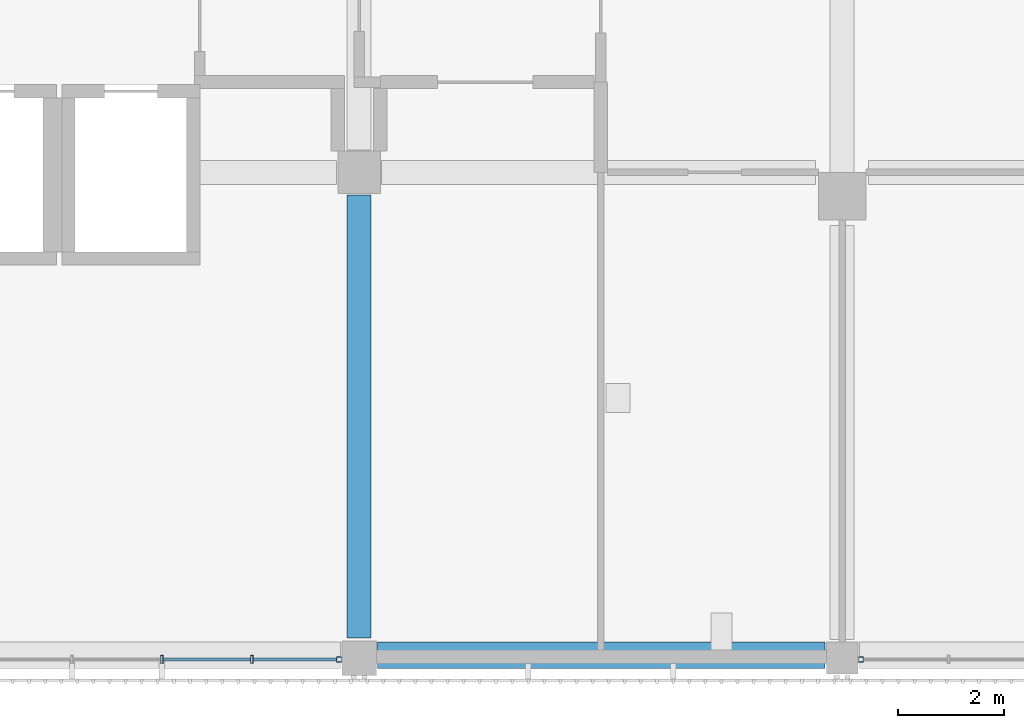
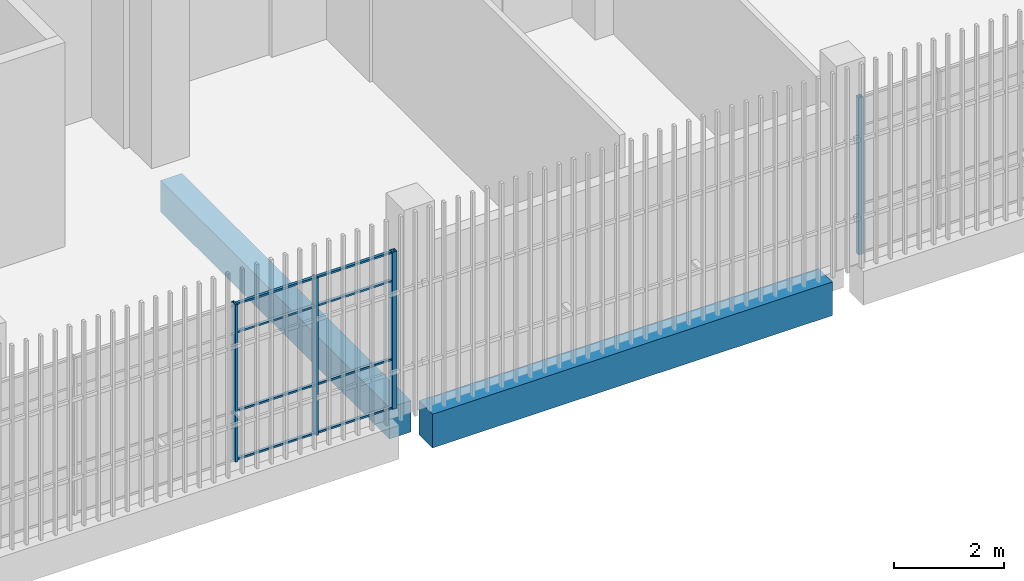
# One storey, part 7 of 104: 12 members, 2 beams, 2 elements without a shape of their own.
"""IFC4 building model written with IfcOpenShell, lengths in metres."""

from ifc_helpers import new_model, si_unit, direction, frame, origin, origin_2d, place, context, subcontext, project, spatial, rectangle, hollow_rectangle, extrude, material, layer, layer_set, material_profile, profile_set, type_object, element, aggregate, save


model = new_model("IFC4")

# Units and contexts
model_context = context("Model", 3, precision=1e-05, world=origin(), true_north=direction((0.0, 1.0)))
body_context = subcontext(model_context, "Body", "Model", "MODEL_VIEW")
ifc_project = project(units=[si_unit("LENGTHUNIT", "METRE"), si_unit("AREAUNIT", "SQUARE_METRE"), si_unit("VOLUMEUNIT", "CUBIC_METRE"), si_unit("PLANEANGLEUNIT", "RADIAN"), si_unit("MASSUNIT", "GRAM", prefix="KILO")], contexts=[model_context])

# Site, building, storey
site_placement = place(None, origin())
site = spatial("IfcSite", under=ifc_project, at=site_placement, CompositionType="ELEMENT")
building_placement = place(site_placement, origin())
building = spatial("IfcBuilding", under=site, at=building_placement, Name="Shirokan Park Arena", CompositionType="ELEMENT")
storey_placement = place(building_placement, frame((0.0, 0.0, 10.919921875)))
storey = spatial("IfcBuildingStorey", under=building, at=storey_placement, Name="L02", CompositionType="ELEMENT", Elevation=10.919921875)

# Curtain wall, member
ifc_material_1 = material(Name="Steel and glass curtain wall", Category="steel")
ifc_layer = layer(ifc_material_1, 0.14990234375)
ifc_layer_set = layer_set([ifc_layer], Name="Steel and glass curtain wall 150 mm")
curtain_wall_type = type_object("IfcCurtainWallType", Name="Curtain wall exposed bay 150", PredefinedType="NOTDEFINED", material=ifc_layer_set)
curtain_wall_1_placement = place(storey_placement, origin())
curtain_wall_1 = element("IfcCurtainWall", 1, at=curtain_wall_1_placement, inside=storey, type_object=curtain_wall_type, Name="Curtain wall south bay 4 L02", PredefinedType="NOTDEFINED")
ifc_material_2 = material(Name="Steel S355", Category="steel")
ifc_material_profile_1 = material_profile(ifc_material_2, hollow_rectangle(XDim=0.10009765625, YDim=0.10009765625, WallThickness=0.006103515625, at=origin_2d()), Name="RHS 100x100x6")
ifc_profile_set_1 = profile_set([ifc_material_profile_1], Name="Steel S355")
member_type_1 = type_object("IfcMemberType", Name="Mullion RHS 100x100x6", PredefinedType="MULLION", material=ifc_profile_set_1)
member_1_placement = place(storey_placement, frame((36.02490234375, -0.074951171875, 0.0), z_axis=(0.0, 0.0, 1.0), x_axis=(0.0, 1.0, 0.0)))
member_1 = element("IfcMember", 2, at=member_1_placement, type_object=member_type_1, Name="CW1 mullion 6", PredefinedType="MULLION", context=body_context, shape_type="SweptSolid", body=[
    extrude(hollow_rectangle(XDim=0.10009765625, YDim=0.10009765625, WallThickness=0.006103515625, at=origin_2d()), origin(), (0.0, 0.0, 1.0), 3.5),
])

curtain_wall_2_placement = place(storey_placement, origin())
curtain_wall_2 = element("IfcCurtainWall", 3, at=curtain_wall_2_placement, inside=storey, type_object=curtain_wall_type, Name="Curtain wall south bay 6 L02", PredefinedType="NOTDEFINED")
member_2_placement = place(storey_placement, frame((45.85009765625, -0.074951171875, 0.0), z_axis=(0.0, 0.0, 1.0), x_axis=(0.0, 1.0, 0.0)))
member_2 = element("IfcMember", 4, at=member_2_placement, type_object=member_type_1, Name="CW1 mullion 1", PredefinedType="MULLION", context=body_context, shape_type="SweptSolid", body=[
    extrude(hollow_rectangle(XDim=0.10009765625, YDim=0.10009765625, WallThickness=0.006103515625, at=origin_2d()), origin(), (0.0, 0.0, 1.0), 3.5),
])
aggregate(curtain_wall_2, [member_2])

# Member
ifc_material_profile_2 = material_profile(ifc_material_2, hollow_rectangle(XDim=0.14990234375, YDim=0.050048828125, WallThickness=0.006103515625, at=origin_2d()), Name="RHS 150x50x6")
ifc_profile_set_2 = profile_set([ifc_material_profile_2], Name="Steel S355")
member_type_2 = type_object("IfcMemberType", Name="Mullion RHS 150x50x6", PredefinedType="MULLION", material=ifc_profile_set_2)
member_3_placement = place(storey_placement, frame((32.68505859375, -0.074951171875, 0.0), z_axis=(0.0, 0.0, 1.0), x_axis=(0.0, 1.0, 0.0)))
member_3 = element("IfcMember", 5, at=member_3_placement, type_object=member_type_2, Name="CW1 mullion 4", PredefinedType="MULLION", context=body_context, shape_type="SweptSolid", body=[
    extrude(hollow_rectangle(XDim=0.14990234375, YDim=0.050048828125, WallThickness=0.006103515625, at=origin_2d()), origin(), (0.0, 0.0, 1.0), 3.5),
])

member_4_placement = place(storey_placement, frame((34.3798828125, -0.074951171875, 0.0), z_axis=(0.0, 0.0, 1.0), x_axis=(0.0, 1.0, 0.0)))
member_4 = element("IfcMember", 6, at=member_4_placement, type_object=member_type_2, Name="CW1 mullion 5", PredefinedType="MULLION", context=body_context, shape_type="SweptSolid", body=[
    extrude(hollow_rectangle(XDim=0.14990234375, YDim=0.050048828125, WallThickness=0.006103515625, at=origin_2d()), origin(), (0.0, 0.0, 1.0), 3.5),
])

# Beams
ifc_material_3 = material(Name="Concrete C35", Category="concrete")
ifc_material_profile_3 = material_profile(ifc_material_3, rectangle(XDim=0.449951171875, YDim=0.699951171875, at=origin_2d()), Name="450x700")
ifc_profile_set_3 = profile_set([ifc_material_profile_3], Name="Concrete C35")
beam_type_1 = type_object("IfcBeamType", Name="RC girder 450x700", PredefinedType="BEAM", material=ifc_profile_set_3)
beam_1_placement = place(storey_placement, frame((36.39990234375, 0.3251953125, -0.64990234375), z_axis=(0.0, 1.0, 0.0), x_axis=(-1.0, 0.0, 0.0)))
element("IfcBeam", 7, at=beam_1_placement, inside=storey, type_object=beam_type_1, Name="Girder 5A-5B L02", PredefinedType="BEAM", context=body_context, shape_type="SweptSolid", body=[
    extrude(rectangle(XDim=0.449951171875, YDim=0.699951171875, at=origin_2d()), origin(), (0.0, 0.0, 1.0), 8.349609375),
])
ifc_material_profile_4 = material_profile(ifc_material_3, rectangle(XDim=0.5, YDim=0.75, at=origin_2d()), Name="500x750")
ifc_profile_set_4 = profile_set([ifc_material_profile_4], Name="Concrete C35")
beam_type_2 = type_object("IfcBeamType", Name="RC girder 500x750", PredefinedType="BEAM", material=ifc_profile_set_4)
beam_2_placement = place(storey_placement, frame((36.75, 0.0, -0.6748046875), z_axis=(1.0, 0.0, 0.0), x_axis=(0.0, 1.0, 0.0)))
element("IfcBeam", 8, at=beam_2_placement, inside=storey, type_object=beam_type_2, Name="Girder 5A-6A L02", PredefinedType="BEAM", context=body_context, shape_type="SweptSolid", body=[
    extrude(rectangle(XDim=0.5, YDim=0.75, at=origin_2d()), origin(), (0.0, 0.0, 1.0), 8.4248046875),
])

# Member
ifc_material_profile_5 = material_profile(ifc_material_2, hollow_rectangle(XDim=0.06005859375, YDim=0.0400390625, WallThickness=0.00390625, at=origin_2d()), Name="RHS 60x40x4")
ifc_profile_set_5 = profile_set([ifc_material_profile_5], Name="Steel S355")
member_type_3 = type_object("IfcMemberType", Name="Transom RHS 60x40x4", PredefinedType="MULLION", material=ifc_profile_set_5)
member_5_placement = place(storey_placement, frame((32.7099609375, -0.074951171875, 0.02001953125), z_axis=(1.0, 0.0, 0.0), x_axis=(0.0, 1.0, 0.0)))
member_5 = element("IfcMember", 9, at=member_5_placement, type_object=member_type_3, Name="CW1 transom 4.1", PredefinedType="MULLION", context=body_context, shape_type="SweptSolid", body=[
    extrude(hollow_rectangle(XDim=0.06005859375, YDim=0.0400390625, WallThickness=0.00390625, at=origin_2d()), origin(), (0.0, 0.0, 1.0), 1.64501953125),
])

member_6_placement = place(storey_placement, frame((32.7099609375, -0.074951171875, 1.10009765625), z_axis=(1.0, 0.0, 0.0), x_axis=(0.0, 1.0, 0.0)))
member_6 = element("IfcMember", 10, at=member_6_placement, type_object=member_type_3, Name="CW1 transom 4.2", PredefinedType="MULLION", context=body_context, shape_type="SweptSolid", body=[
    extrude(hollow_rectangle(XDim=0.06005859375, YDim=0.0400390625, WallThickness=0.00390625, at=origin_2d()), origin(), (0.0, 0.0, 1.0), 1.64501953125),
])

member_7_placement = place(storey_placement, frame((32.7099609375, -0.074951171875, 2.85009765625), z_axis=(1.0, 0.0, 0.0), x_axis=(0.0, 1.0, 0.0)))
member_7 = element("IfcMember", 11, at=member_7_placement, type_object=member_type_3, Name="CW1 transom 4.3", PredefinedType="MULLION", context=body_context, shape_type="SweptSolid", body=[
    extrude(hollow_rectangle(XDim=0.06005859375, YDim=0.0400390625, WallThickness=0.00390625, at=origin_2d()), origin(), (0.0, 0.0, 1.0), 1.64501953125),
])

member_8_placement = place(storey_placement, frame((32.7099609375, -0.074951171875, 3.47998046875), z_axis=(1.0, 0.0, 0.0), x_axis=(0.0, 1.0, 0.0)))
member_8 = element("IfcMember", 12, at=member_8_placement, type_object=member_type_3, Name="CW1 transom 4.4", PredefinedType="MULLION", context=body_context, shape_type="SweptSolid", body=[
    extrude(hollow_rectangle(XDim=0.06005859375, YDim=0.0400390625, WallThickness=0.00390625, at=origin_2d()), origin(), (0.0, 0.0, 1.0), 1.64501953125),
])

member_9_placement = place(storey_placement, frame((34.405029296875, -0.074951171875, 0.02001953125), z_axis=(1.0, 0.0, 0.0), x_axis=(0.0, 1.0, 0.0)))
member_9 = element("IfcMember", 13, at=member_9_placement, type_object=member_type_3, Name="CW1 transom 5.1", PredefinedType="MULLION", context=body_context, shape_type="SweptSolid", body=[
    extrude(hollow_rectangle(XDim=0.06005859375, YDim=0.0400390625, WallThickness=0.00390625, at=origin_2d()), origin(), (0.0, 0.0, 1.0), 1.570068359375),
])

member_10_placement = place(storey_placement, frame((34.405029296875, -0.074951171875, 1.10009765625), z_axis=(1.0, 0.0, 0.0), x_axis=(0.0, 1.0, 0.0)))
member_10 = element("IfcMember", 14, at=member_10_placement, type_object=member_type_3, Name="CW1 transom 5.2", PredefinedType="MULLION", context=body_context, shape_type="SweptSolid", body=[
    extrude(hollow_rectangle(XDim=0.06005859375, YDim=0.0400390625, WallThickness=0.00390625, at=origin_2d()), origin(), (0.0, 0.0, 1.0), 1.570068359375),
])

member_11_placement = place(storey_placement, frame((34.405029296875, -0.074951171875, 2.85009765625), z_axis=(1.0, 0.0, 0.0), x_axis=(0.0, 1.0, 0.0)))
member_11 = element("IfcMember", 15, at=member_11_placement, type_object=member_type_3, Name="CW1 transom 5.3", PredefinedType="MULLION", context=body_context, shape_type="SweptSolid", body=[
    extrude(hollow_rectangle(XDim=0.06005859375, YDim=0.0400390625, WallThickness=0.00390625, at=origin_2d()), origin(), (0.0, 0.0, 1.0), 1.570068359375),
])

member_12_placement = place(storey_placement, frame((34.405029296875, -0.074951171875, 3.47998046875), z_axis=(1.0, 0.0, 0.0), x_axis=(0.0, 1.0, 0.0)))
member_12 = element("IfcMember", 16, at=member_12_placement, type_object=member_type_3, Name="CW1 transom 5.4", PredefinedType="MULLION", context=body_context, shape_type="SweptSolid", body=[
    extrude(hollow_rectangle(XDim=0.06005859375, YDim=0.0400390625, WallThickness=0.00390625, at=origin_2d()), origin(), (0.0, 0.0, 1.0), 1.570068359375),
])

aggregate(curtain_wall_1, [member_3, member_4, member_1, member_5, member_6, member_7, member_8, member_9, member_10, member_11, member_12])

save(model, "model.ifc")
